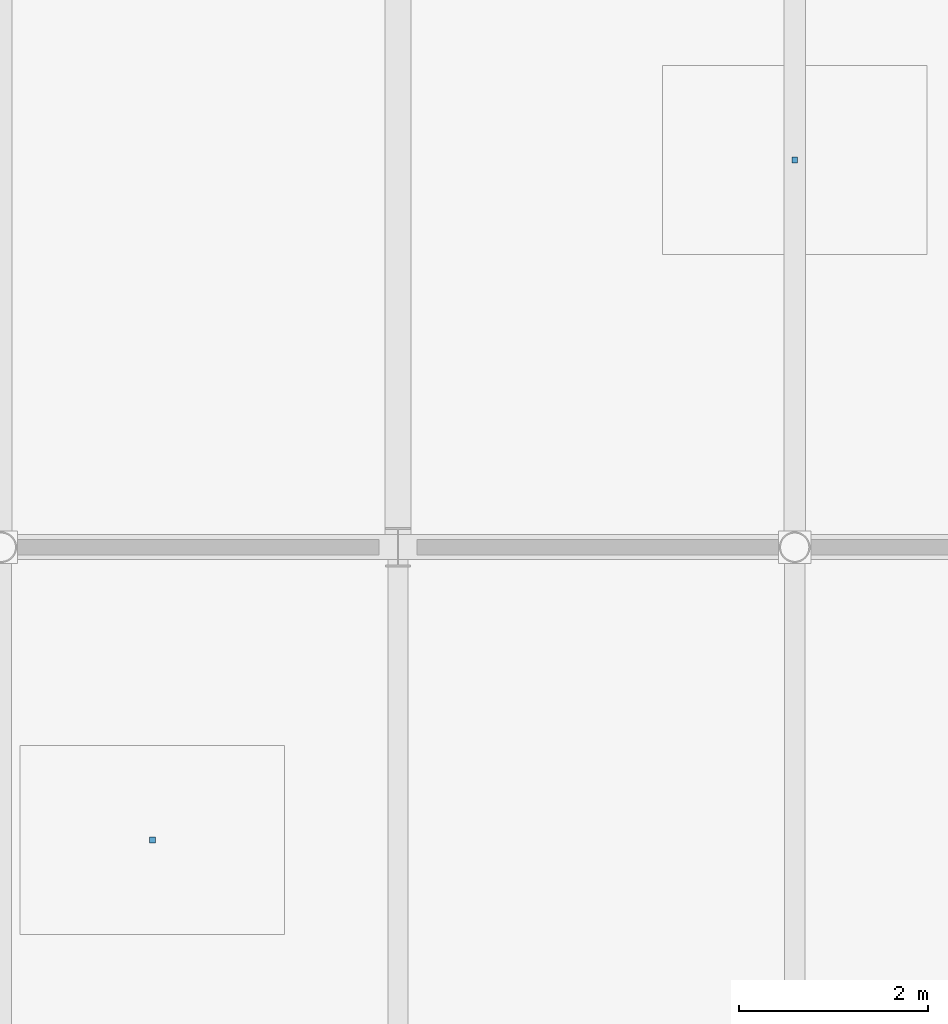
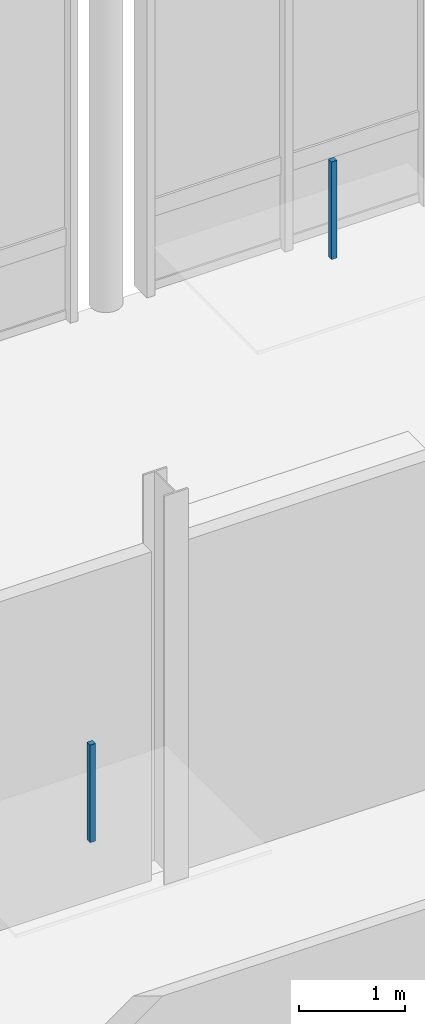
# One storey, part 114 of 139: 2 discrete accessories.
"""IFC4 building model written with IfcOpenShell, lengths in metres."""

from ifc_helpers import new_model, si_unit, derived_unit, direction, frame, origin, origin_2d, place, context, subcontext, project, spatial, rectangle, extrude, material, layer, layer_set, type_object, element, save


model = new_model("IFC4")

# Units and contexts
model_context = context("Model", 3, precision=1e-05, world=origin(), true_north=direction((0.0, 1.0)))
body_context = subcontext(model_context, "Body", "Model", "MODEL_VIEW")
ifc_project = project(units=[si_unit("LENGTHUNIT", "METRE"), si_unit("AREAUNIT", "SQUARE_METRE"), si_unit("VOLUMEUNIT", "CUBIC_METRE"), si_unit("PLANEANGLEUNIT", "RADIAN"), si_unit("MASSUNIT", "GRAM", prefix="KILO"), derived_unit("THERMALTRANSMITTANCEUNIT", [(si_unit("MASSUNIT", "GRAM", prefix="KILO"), 1), (si_unit("TIMEUNIT", "SECOND"), -3), (si_unit("THERMODYNAMICTEMPERATUREUNIT", "KELVIN"), -1)])], contexts=[model_context])

# Site, building, storey
site_placement = place(None, origin())
site = spatial("IfcSite", under=ifc_project, at=site_placement, CompositionType="ELEMENT")
building_placement = place(site_placement, origin())
building = spatial("IfcBuilding", under=site, at=building_placement, Name="Makaiwela Harbour Ferry Terminal", CompositionType="ELEMENT")
storey_placement = place(building_placement, frame((0.0, 0.0, 5.10009765625)))
storey = spatial("IfcBuildingStorey", under=building, at=storey_placement, Name="L01", CompositionType="ELEMENT", Elevation=5.10009765625)

# Discrete accessories
ifc_material = material(Name="Marine grade 316L brushed stainless steel", Category="steel")
ifc_layer = layer(ifc_material, 1.0)
ifc_layer_set = layer_set([ifc_layer], Name="Marine grade 316L brushed stainless steel")
discrete_accessory_type = type_object("IfcDiscreteAccessoryType", Name="INT-ACC-HNG", PredefinedType="BRACKET", material=ifc_layer_set)
for number, where, z_axis, x_axis, name in (
    (1, (105.0, 29.300048828125, 3.135009765625), (0.0, 0.0, 1.0), (1.0, 0.0, 0.0), "Ceiling Suspension Bracket HNG-042"),
    (2, (98.199951171875, 22.10009765625, 3.135009765625), (0.0, 0.0, 1.0), (1.0, 0.0, 0.0), "Ceiling Suspension Bracket HNG-044"),
):
    element("IfcDiscreteAccessory", number, at=place(storey_placement, frame(where, z_axis=z_axis, x_axis=x_axis)), inside=storey, type_object=discrete_accessory_type, Name=name, PredefinedType="BRACKET", context=body_context, shape_type="SweptSolid", body=[
        extrude(rectangle(XDim=0.06005859375, YDim=0.06005859375, at=origin_2d()), origin(), (0.0, 0.0, 1.0), 1.1298828125),
    ])

save(model, "model.ifc")
